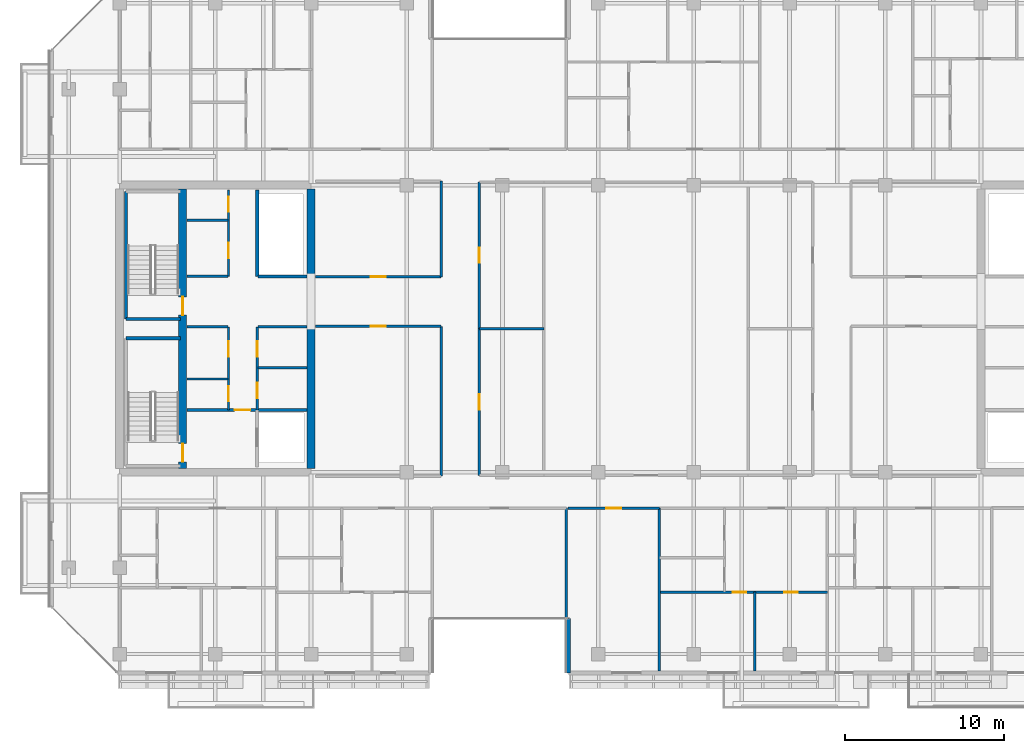
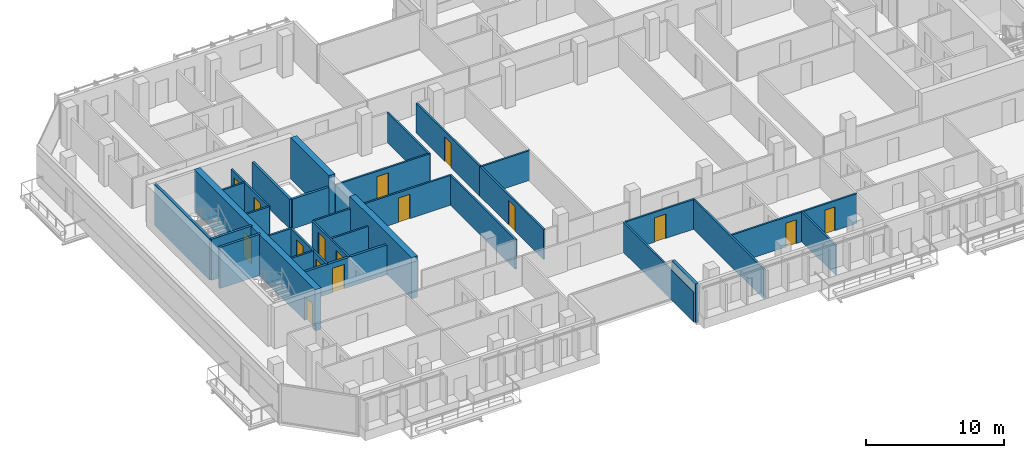
# One storey, part 20 of 30: 31 walls, 16 doors, 16 openings.
"""IFC4 building model written with IfcOpenShell, lengths in metres."""

from ifc_helpers import new_model, si_unit, direction, frame, frame_2d, origin, place, context, subcontext, project, spatial, rectangle, extrude, material, layer, layer_set, type_object, element, fill, save


model = new_model("IFC4")

# Units and contexts
model_context = context("Model", 3, precision=1e-05, world=origin(), true_north=direction((0.0, 1.0)))
body_context = subcontext(model_context, "Body", "Model", "MODEL_VIEW")
ifc_project = project(units=[si_unit("LENGTHUNIT", "METRE"), si_unit("AREAUNIT", "SQUARE_METRE"), si_unit("VOLUMEUNIT", "CUBIC_METRE"), si_unit("PLANEANGLEUNIT", "RADIAN"), si_unit("MASSUNIT", "GRAM", prefix="KILO")], contexts=[model_context])

# Site, building, storey
site_placement = place(None, origin())
site = spatial("IfcSite", under=ifc_project, at=site_placement, CompositionType="ELEMENT")
building_placement = place(site_placement, origin())
building = spatial("IfcBuilding", under=site, at=building_placement, Name="Tanjung Sevakor Pilgrim Tower", CompositionType="ELEMENT")
storey_placement = place(building_placement, frame((0.0, 0.0, 165.659912109375)))
storey = spatial("IfcBuildingStorey", under=building, at=storey_placement, Name="L46", CompositionType="ELEMENT", Elevation=165.659912109375)

# Walls
ifc_material_1 = material(Name="Concrete C60/75", Category="concrete")
ifc_layer_1 = layer(ifc_material_1, 0.5)
ifc_layer_set_1 = layer_set([ifc_layer_1], Name="WALL-CW-500")
wall_type_1 = type_object("IfcWallType", Name="WALL-CW-500", PredefinedType="SHEAR", material=ifc_layer_set_1)
wall_1_placement = place(storey_placement, frame((36.0, 24.85009765625, 0.0), z_axis=(0.0, 0.0, 1.0), x_axis=(0.0, 1.0, 0.0)))
element("IfcWall", 1, at=wall_1_placement, inside=storey, type_object=wall_type_1, Name="L46 W Core Inner Shear Wall South", PredefinedType="SHEAR", context=body_context, shape_type="SweptSolid", body=[
    extrude(rectangle(XDim=8.949951171875, YDim=0.5, at=frame_2d((4.47509765625, 0.0))), origin(), (0.0, 0.0, 1.0), 3.630126953125),
])
wall_2_placement = place(storey_placement, frame((36.0, 36.800048828125, 0.0), z_axis=(0.0, 0.0, 1.0), x_axis=(0.0, 1.0, 0.0)))
element("IfcWall", 2, at=wall_2_placement, inside=storey, type_object=wall_type_1, Name="L46 W Core Inner Shear Wall North", PredefinedType="SHEAR", context=body_context, shape_type="SweptSolid", body=[
    extrude(rectangle(XDim=5.550048828125, YDim=0.5, at=frame_2d((2.77490234375, 0.0))), origin(), (0.0, 0.0, 1.0), 3.630126953125),
])

# Wall, openings, doors
wall_3_placement = place(storey_placement, frame((27.949951171875, 24.85009765625, 0.0), z_axis=(0.0, 0.0, 1.0), x_axis=(0.0, 1.0, 0.0)))
wall_3 = element("IfcWall", 3, at=wall_3_placement, inside=storey, type_object=wall_type_1, Name="L46 W Core Stair Spine Wall", PredefinedType="SHEAR", context=body_context, shape_type="SweptSolid", body=[
    extrude(rectangle(XDim=17.5, YDim=0.5, at=frame_2d((8.75, 0.0))), origin(), (0.0, 0.0, 1.0), 3.630126953125),
])
opening_1_placement = place(wall_3_placement, frame((0.39990234375, 0.0, 0.0)))
opening_1 = element("IfcOpeningElement", 4, at=opening_1_placement, cuts=wall_3, Name="Opening ID-ST1", PredefinedType="OPENING", context=body_context, shape_type="SweptSolid", body=[
    extrude(rectangle(XDim=1.14990234375, YDim=2.14990234375, at=frame_2d((0.574951171875, 1.074951171875))), frame((0.0, 0.260009765625, 0.0), z_axis=(0.0, -1.0, 0.0), x_axis=(1.0, 0.0, 0.0)), (0.0, 0.0, 1.0), 0.52001953125),
])
opening_2_placement = place(wall_3_placement, frame((9.60009765625, 0.0, 0.0)))
opening_2 = element("IfcOpeningElement", 5, at=opening_2_placement, cuts=wall_3, Name="Opening ID-ST1", PredefinedType="OPENING", context=body_context, shape_type="SweptSolid", body=[
    extrude(rectangle(XDim=1.14990234375, YDim=2.14990234375, at=frame_2d((0.574951171875, 1.074951171875))), frame((0.0, 0.260009765625, 0.0), z_axis=(0.0, -1.0, 0.0), x_axis=(1.0, 0.0, 0.0)), (0.0, 0.0, 1.0), 0.52001953125),
])
ifc_material_2 = material(Name="Fire-Rated Steel S355J2", Category="steel")
door_type_1 = type_object("IfcDoorType", Name="DT-FIRE-1150", OperationType="NOTDEFINED", PredefinedType="DOOR", material=ifc_material_2)
door_1_placement = place(opening_1_placement, origin())
door_1 = element("IfcDoor", 6, at=door_1_placement, inside=storey, type_object=door_type_1, Name="L46 TS-W1 Stair Fire Door", OperationType="SINGLE_SWING_RIGHT", OverallHeight=2.14990234375, OverallWidth=1.14990234375, PredefinedType="DOOR", context=body_context, shape_type="SweptSolid", body=[
    extrude(rectangle(XDim=1.14990234375, YDim=2.14990234375, at=frame_2d((0.574951171875, 1.074951171875))), frame((0.0, 0.02490234375, 0.0), z_axis=(0.0, -1.0, 0.0), x_axis=(1.0, 0.0, 0.0)), (0.0, 0.0, 1.0), 0.050048828125),
])
fill(opening_1, door_1)
door_2_placement = place(opening_2_placement, origin())
door_2 = element("IfcDoor", 7, at=door_2_placement, inside=storey, type_object=door_type_1, Name="L46 TS-W2 Stair Fire Door", OperationType="SINGLE_SWING_LEFT", OverallHeight=2.14990234375, OverallWidth=1.14990234375, PredefinedType="DOOR", context=body_context, shape_type="SweptSolid", body=[
    extrude(rectangle(XDim=1.14990234375, YDim=2.14990234375, at=frame_2d((0.574951171875, 1.074951171875))), frame((0.0, 0.02490234375, 0.0), z_axis=(0.0, -1.0, 0.0), x_axis=(1.0, 0.0, 0.0)), (0.0, 0.0, 1.0), 0.050048828125),
])
fill(opening_2, door_2)

# Walls
ifc_material_3 = material(Name="Concrete C40/50", Category="concrete")
ifc_layer_2 = layer(ifc_material_3, 0.14990234375)
ifc_layer_set_2 = layer_set([ifc_layer_2], Name="WT-COMP-150")
wall_type_2 = type_object("IfcWallType", Name="WT-COMP-150", PredefinedType="SOLIDWALL", material=ifc_layer_set_2)
for number, where, z_axis, x_axis, name in (
    (8, (28.219970703125, 30.449951171875, 0.0), (0.0, 0.0, 1.0), (1.0, 0.0, 0.0), "L46 Partition IW-L46-003"),
    (9, (28.219970703125, 33.719970703125, 0.0), (0.0, 0.0, 1.0), (1.0, 0.0, 0.0), "L46 Partition IW-L46-004"),
):
    element("IfcWall", number, at=place(storey_placement, frame(where, z_axis=z_axis, x_axis=x_axis)), inside=storey, type_object=wall_type_2, Name=name, PredefinedType="SOLIDWALL", context=body_context, shape_type="SweptSolid", body=[
        extrude(rectangle(XDim=2.580078125, YDim=0.14990234375, at=frame_2d((1.2900390625, 0.0))), origin(), (0.0, 0.0, 1.0), 2.6298828125),
    ])

# Wall, openings, doors
wall_4_placement = place(storey_placement, frame((30.820068359375, 28.5, 0.0), z_axis=(0.0, 0.0, 1.0), x_axis=(0.0, 1.0, 0.0)))
wall_4 = element("IfcWall", 10, at=wall_4_placement, inside=storey, type_object=wall_type_2, Name="L46 Partition IW-L46-005", PredefinedType="SOLIDWALL", context=body_context, shape_type="SweptSolid", body=[
    extrude(rectangle(XDim=5.219970703125, YDim=0.14990234375, at=frame_2d((2.60986328125, 0.0))), origin(), (0.0, 0.0, 1.0), 2.6298828125),
])
opening_3_placement = place(wall_4_placement, frame((0.550048828125, 0.0, 0.0)))
opening_3 = element("IfcOpeningElement", 11, at=opening_3_placement, cuts=wall_4, Name="Opening ID-FD2", PredefinedType="OPENING", context=body_context, shape_type="SweptSolid", body=[
    extrude(rectangle(XDim=0.949951171875, YDim=2.14990234375, at=frame_2d((0.47509765625, 1.074951171875))), frame((0.0, 0.0849609375, 0.0), z_axis=(0.0, -1.0, 0.0), x_axis=(1.0, 0.0, 0.0)), (0.0, 0.0, 1.0), 0.169921875),
])
opening_4_placement = place(wall_4_placement, frame((3.35009765625, 0.0, 0.0)))
opening_4 = element("IfcOpeningElement", 12, at=opening_4_placement, cuts=wall_4, Name="Opening ID-FD2", PredefinedType="OPENING", context=body_context, shape_type="SweptSolid", body=[
    extrude(rectangle(XDim=0.949951171875, YDim=2.14990234375, at=frame_2d((0.47509765625, 1.074951171875))), frame((0.0, 0.0849609375, 0.0), z_axis=(0.0, -1.0, 0.0), x_axis=(1.0, 0.0, 0.0)), (0.0, 0.0, 1.0), 0.169921875),
])
ifc_material_4 = material(Name="Fire-Rated Timber", Category="wood")
door_type_2 = type_object("IfcDoorType", Name="DT-FIRE-950", OperationType="NOTDEFINED", PredefinedType="DOOR", material=ifc_material_4)
door_3_placement = place(opening_3_placement, origin())
door_3 = element("IfcDoor", 13, at=door_3_placement, inside=storey, type_object=door_type_2, Name="L46 Cleaner Store Door", OperationType="SINGLE_SWING_RIGHT", OverallHeight=2.14990234375, OverallWidth=0.949951171875, PredefinedType="DOOR", context=body_context, shape_type="SweptSolid", body=[
    extrude(rectangle(XDim=0.949951171875, YDim=2.14990234375, at=frame_2d((0.47509765625, 1.074951171875))), frame((0.0, 0.02490234375, 0.0), z_axis=(0.0, -1.0, 0.0), x_axis=(1.0, 0.0, 0.0)), (0.0, 0.0, 1.0), 0.050048828125),
])
fill(opening_3, door_3)
door_4_placement = place(opening_4_placement, origin())
door_4 = element("IfcDoor", 14, at=door_4_placement, inside=storey, type_object=door_type_2, Name="L46 Housekeeping Pantry Door", OperationType="SINGLE_SWING_LEFT", OverallHeight=2.14990234375, OverallWidth=0.949951171875, PredefinedType="DOOR", context=body_context, shape_type="SweptSolid", body=[
    extrude(rectangle(XDim=0.949951171875, YDim=2.14990234375, at=frame_2d((0.47509765625, 1.074951171875))), frame((0.0, 0.02490234375, 0.0), z_axis=(0.0, -1.0, 0.0), x_axis=(1.0, 0.0, 0.0)), (0.0, 0.0, 1.0), 0.050048828125),
])
fill(opening_4, door_4)

# Walls
for number, where, z_axis, x_axis, name in (
    (15, (32.679931640625, 31.14990234375, 0.0), (0.0, 0.0, 1.0), (1.0, 0.0, 0.0), "L46 Partition IW-L46-006"),
    (16, (32.679931640625, 33.719970703125, 0.0), (0.0, 0.0, 1.0), (1.0, 0.0, 0.0), "L46 Partition IW-L46-007"),
):
    element("IfcWall", number, at=place(storey_placement, frame(where, z_axis=z_axis, x_axis=x_axis)), inside=storey, type_object=wall_type_2, Name=name, PredefinedType="SOLIDWALL", context=body_context, shape_type="SweptSolid", body=[
        extrude(rectangle(XDim=3.050048828125, YDim=0.14990234375, at=frame_2d((1.52490234375, 0.0))), origin(), (0.0, 0.0, 1.0), 2.6298828125),
    ])

# Wall, openings, doors
wall_5_placement = place(storey_placement, frame((32.6201171875, 28.5, 0.0), z_axis=(0.0, 0.0, 1.0), x_axis=(0.0, 1.0, 0.0)))
wall_5 = element("IfcWall", 17, at=wall_5_placement, inside=storey, type_object=wall_type_2, Name="L46 Partition IW-L46-008", PredefinedType="SOLIDWALL", context=body_context, shape_type="SweptSolid", body=[
    extrude(rectangle(XDim=5.219970703125, YDim=0.14990234375, at=frame_2d((2.60986328125, 0.0))), origin(), (0.0, 0.0, 1.0), 2.6298828125),
])
opening_5_placement = place(wall_5_placement, frame((0.75, 0.0, 0.0)))
opening_5 = element("IfcOpeningElement", 18, at=opening_5_placement, cuts=wall_5, Name="Opening ID-FD2", PredefinedType="OPENING", context=body_context, shape_type="SweptSolid", body=[
    extrude(rectangle(XDim=0.949951171875, YDim=2.14990234375, at=frame_2d((0.47509765625, 1.074951171875))), frame((0.0, 0.0849609375, 0.0), z_axis=(0.0, -1.0, 0.0), x_axis=(1.0, 0.0, 0.0)), (0.0, 0.0, 1.0), 0.169921875),
])
opening_6_placement = place(wall_5_placement, frame((3.35009765625, 0.0, 0.0)))
opening_6 = element("IfcOpeningElement", 19, at=opening_6_placement, cuts=wall_5, Name="Opening ID-FD2", PredefinedType="OPENING", context=body_context, shape_type="SweptSolid", body=[
    extrude(rectangle(XDim=0.949951171875, YDim=2.14990234375, at=frame_2d((0.47509765625, 1.074951171875))), frame((0.0, 0.0849609375, 0.0), z_axis=(0.0, -1.0, 0.0), x_axis=(1.0, 0.0, 0.0)), (0.0, 0.0, 1.0), 0.169921875),
])
door_5_placement = place(opening_5_placement, origin())
door_5 = element("IfcDoor", 20, at=door_5_placement, inside=storey, type_object=door_type_2, Name="L46 Accessible WC Door", OperationType="SINGLE_SWING_RIGHT", OverallHeight=2.14990234375, OverallWidth=0.949951171875, PredefinedType="DOOR", context=body_context, shape_type="SweptSolid", body=[
    extrude(rectangle(XDim=0.949951171875, YDim=2.14990234375, at=frame_2d((0.47509765625, 1.074951171875))), frame((0.0, 0.02490234375, 0.0), z_axis=(0.0, -1.0, 0.0), x_axis=(1.0, 0.0, 0.0)), (0.0, 0.0, 1.0), 0.050048828125),
])
fill(opening_5, door_5)
door_6_placement = place(opening_6_placement, origin())
door_6 = element("IfcDoor", 21, at=door_6_placement, inside=storey, type_object=door_type_2, Name="L46 Core Service Door", OperationType="SINGLE_SWING_LEFT", OverallHeight=2.14990234375, OverallWidth=0.949951171875, PredefinedType="DOOR", context=body_context, shape_type="SweptSolid", body=[
    extrude(rectangle(XDim=0.949951171875, YDim=2.14990234375, at=frame_2d((0.47509765625, 1.074951171875))), frame((0.0, 0.02490234375, 0.0), z_axis=(0.0, -1.0, 0.0), x_axis=(1.0, 0.0, 0.0)), (0.0, 0.0, 1.0), 0.050048828125),
])
fill(opening_6, door_6)

# Walls
for number, where, z_axis, x_axis, name in (
    (22, (28.219970703125, 36.8798828125, 0.0), (0.0, 0.0, 1.0), (1.0, 0.0, 0.0), "L46 Partition IW-L46-009"),
    (23, (28.219970703125, 40.389892578125, 0.0), (0.0, 0.0, 1.0), (1.0, 0.0, 0.0), "L46 Partition IW-L46-010"),
):
    element("IfcWall", number, at=place(storey_placement, frame(where, z_axis=z_axis, x_axis=x_axis)), inside=storey, type_object=wall_type_2, Name=name, PredefinedType="SOLIDWALL", context=body_context, shape_type="SweptSolid", body=[
        extrude(rectangle(XDim=2.580078125, YDim=0.14990234375, at=frame_2d((1.2900390625, 0.0))), origin(), (0.0, 0.0, 1.0), 2.6298828125),
    ])

# Wall, openings, doors
wall_6_placement = place(storey_placement, frame((30.820068359375, 36.8798828125, 0.0), z_axis=(0.0, 0.0, 1.0), x_axis=(0.0, 1.0, 0.0)))
wall_6 = element("IfcWall", 24, at=wall_6_placement, inside=storey, type_object=wall_type_2, Name="L46 Partition IW-L46-011", PredefinedType="SOLIDWALL", context=body_context, shape_type="SweptSolid", body=[
    extrude(rectangle(XDim=5.420166015625, YDim=0.14990234375, at=frame_2d((2.7099609375, 0.0))), origin(), (0.0, 0.0, 1.0), 2.6298828125),
])
opening_7_placement = place(wall_6_placement, frame((1.14990234375, 0.0, 0.0)))
opening_7 = element("IfcOpeningElement", 25, at=opening_7_placement, cuts=wall_6, Name="Opening ID-FD2", PredefinedType="OPENING", context=body_context, shape_type="SweptSolid", body=[
    extrude(rectangle(XDim=0.949951171875, YDim=2.14990234375, at=frame_2d((0.47509765625, 1.074951171875))), frame((0.0, 0.0849609375, 0.0), z_axis=(0.0, -1.0, 0.0), x_axis=(1.0, 0.0, 0.0)), (0.0, 0.0, 1.0), 0.169921875),
])
opening_8_placement = place(wall_6_placement, frame((4.050048828125, 0.0, 0.0)))
opening_8 = element("IfcOpeningElement", 26, at=opening_8_placement, cuts=wall_6, Name="Opening ID-FD2", PredefinedType="OPENING", context=body_context, shape_type="SweptSolid", body=[
    extrude(rectangle(XDim=0.949951171875, YDim=2.14990234375, at=frame_2d((0.47509765625, 1.074951171875))), frame((0.0, 0.0849609375, 0.0), z_axis=(0.0, -1.0, 0.0), x_axis=(1.0, 0.0, 0.0)), (0.0, 0.0, 1.0), 0.169921875),
])
door_7_placement = place(opening_7_placement, origin())
door_7 = element("IfcDoor", 27, at=door_7_placement, inside=storey, type_object=door_type_2, Name="L46 Core Study Room Door", OperationType="SINGLE_SWING_RIGHT", OverallHeight=2.14990234375, OverallWidth=0.949951171875, PredefinedType="DOOR", context=body_context, shape_type="SweptSolid", body=[
    extrude(rectangle(XDim=0.949951171875, YDim=2.14990234375, at=frame_2d((0.47509765625, 1.074951171875))), frame((0.0, 0.02490234375, 0.0), z_axis=(0.0, -1.0, 0.0), x_axis=(1.0, 0.0, 0.0)), (0.0, 0.0, 1.0), 0.050048828125),
])
fill(opening_7, door_7)
door_8_placement = place(opening_8_placement, origin())
door_8 = element("IfcDoor", 28, at=door_8_placement, inside=storey, type_object=door_type_2, Name="L46 Service Store Door", OperationType="SINGLE_SWING_LEFT", OverallHeight=2.14990234375, OverallWidth=0.949951171875, PredefinedType="DOOR", context=body_context, shape_type="SweptSolid", body=[
    extrude(rectangle(XDim=0.949951171875, YDim=2.14990234375, at=frame_2d((0.47509765625, 1.074951171875))), frame((0.0, 0.02490234375, 0.0), z_axis=(0.0, -1.0, 0.0), x_axis=(1.0, 0.0, 0.0)), (0.0, 0.0, 1.0), 0.050048828125),
])
fill(opening_8, door_8)

# Wall, opening, door
wall_7_placement = place(storey_placement, frame((36.27001953125, 33.75, 0.0), z_axis=(0.0, 0.0, 1.0), x_axis=(1.0, 0.0, 0.0)))
wall_7 = element("IfcWall", 29, at=wall_7_placement, inside=storey, type_object=wall_type_2, Name="L46 Partition IW-L46-028", PredefinedType="SOLIDWALL", context=body_context, shape_type="SweptSolid", body=[
    extrude(rectangle(XDim=7.8798828125, YDim=0.14990234375, at=frame_2d((3.93994140625, 0.0))), origin(), (0.0, 0.0, 1.0), 2.6298828125),
])
opening_9_placement = place(wall_7_placement, frame((3.465087890625, 0.0, 0.0)))
opening_9 = element("IfcOpeningElement", 30, at=opening_9_placement, cuts=wall_7, Name="Opening ID-RM1", PredefinedType="OPENING", context=body_context, shape_type="SweptSolid", body=[
    extrude(rectangle(XDim=0.949951171875, YDim=2.14990234375, at=frame_2d((0.47509765625, 1.074951171875))), frame((0.0, 0.0849609375, 0.0), z_axis=(0.0, -1.0, 0.0), x_axis=(1.0, 0.0, 0.0)), (0.0, 0.0, 1.0), 0.169921875),
])
ifc_material_5 = material(Name="Hardwood Timber", Category="wood")
door_type_3 = type_object("IfcDoorType", Name="DT-INT-950", OperationType="NOTDEFINED", PredefinedType="DOOR", material=ifc_material_5)
door_9_placement = place(opening_9_placement, origin())
door_9 = element("IfcDoor", 31, at=door_9_placement, inside=storey, type_object=door_type_3, Name="L46 West Inboard South Door", OperationType="SINGLE_SWING_RIGHT", OverallHeight=2.14990234375, OverallWidth=0.949951171875, PredefinedType="DOOR", context=body_context, shape_type="SweptSolid", body=[
    extrude(rectangle(XDim=0.949951171875, YDim=2.14990234375, at=frame_2d((0.47509765625, 1.074951171875))), frame((0.0, 0.02490234375, 0.0), z_axis=(0.0, -1.0, 0.0), x_axis=(1.0, 0.0, 0.0)), (0.0, 0.0, 1.0), 0.050048828125),
])
fill(opening_9, door_9)

# Wall
wall_8_placement = place(storey_placement, frame((44.14990234375, 24.35009765625, 0.0), z_axis=(0.0, 0.0, 1.0), x_axis=(0.0, 1.0, 0.0)))
element("IfcWall", 32, at=wall_8_placement, inside=storey, type_object=wall_type_2, Name="L46 Partition IW-L46-029", PredefinedType="SOLIDWALL", context=body_context, shape_type="SweptSolid", body=[
    extrude(rectangle(XDim=9.39990234375, YDim=0.14990234375, at=frame_2d((4.699951171875, 0.0))), origin(), (0.0, 0.0, 1.0), 2.6298828125),
])

# Wall, opening, door
wall_9_placement = place(storey_placement, frame((36.27001953125, 36.85009765625, 0.0), z_axis=(0.0, 0.0, 1.0), x_axis=(1.0, 0.0, 0.0)))
wall_9 = element("IfcWall", 33, at=wall_9_placement, inside=storey, type_object=wall_type_2, Name="L46 Partition IW-L46-030", PredefinedType="SOLIDWALL", context=body_context, shape_type="SweptSolid", body=[
    extrude(rectangle(XDim=7.8798828125, YDim=0.14990234375, at=frame_2d((3.93994140625, 0.0))), origin(), (0.0, 0.0, 1.0), 2.6298828125),
])
opening_10_placement = place(wall_9_placement, frame((3.465087890625, 0.0, 0.0)))
opening_10 = element("IfcOpeningElement", 34, at=opening_10_placement, cuts=wall_9, Name="Opening ID-RM1", PredefinedType="OPENING", context=body_context, shape_type="SweptSolid", body=[
    extrude(rectangle(XDim=0.949951171875, YDim=2.14990234375, at=frame_2d((0.47509765625, 1.074951171875))), frame((0.0, 0.0849609375, 0.0), z_axis=(0.0, -1.0, 0.0), x_axis=(1.0, 0.0, 0.0)), (0.0, 0.0, 1.0), 0.169921875),
])
door_10_placement = place(opening_10_placement, origin())
door_10 = element("IfcDoor", 35, at=door_10_placement, inside=storey, type_object=door_type_3, Name="L46 West Inboard North Door", OperationType="SINGLE_SWING_LEFT", OverallHeight=2.14990234375, OverallWidth=0.949951171875, PredefinedType="DOOR", context=body_context, shape_type="SweptSolid", body=[
    extrude(rectangle(XDim=0.949951171875, YDim=2.14990234375, at=frame_2d((0.47509765625, 1.074951171875))), frame((0.0, 0.02490234375, 0.0), z_axis=(0.0, -1.0, 0.0), x_axis=(1.0, 0.0, 0.0)), (0.0, 0.0, 1.0), 0.050048828125),
])
fill(opening_10, door_10)

# Walls
wall_10_placement = place(storey_placement, frame((44.14990234375, 36.85009765625, 0.0), z_axis=(0.0, 0.0, 1.0), x_axis=(0.0, 1.0, 0.0)))
element("IfcWall", 36, at=wall_10_placement, inside=storey, type_object=wall_type_2, Name="L46 Partition IW-L46-032", PredefinedType="SOLIDWALL", context=body_context, shape_type="SweptSolid", body=[
    extrude(rectangle(XDim=6.0, YDim=0.14990234375, at=frame_2d((3.0, 0.0))), origin(), (0.0, 0.0, 1.0), 2.6298828125),
])
wall_11_placement = place(storey_placement, frame((46.550048828125, 33.60009765625, 0.0), z_axis=(0.0, 0.0, 1.0), x_axis=(1.0, 0.0, 0.0)))
element("IfcWall", 37, at=wall_11_placement, inside=storey, type_object=wall_type_2, Name="L46 Partition IW-L46-040", PredefinedType="SOLIDWALL", context=body_context, shape_type="SweptSolid", body=[
    extrude(rectangle(XDim=4.050048828125, YDim=0.14990234375, at=frame_2d((2.02490234375, 0.0))), origin(), (0.0, 0.0, 1.0), 2.6298828125),
])

# Wall, opening, door
wall_12_placement = place(storey_placement, frame((46.550048828125, 24.39990234375, 0.0), z_axis=(0.0, 0.0, 1.0), x_axis=(0.0, 1.0, 0.0)))
wall_12 = element("IfcWall", 38, at=wall_12_placement, inside=storey, type_object=wall_type_2, Name="L46 Partition IW-L46-041", PredefinedType="SOLIDWALL", context=body_context, shape_type="SweptSolid", body=[
    extrude(rectangle(XDim=9.2001953125, YDim=0.14990234375, at=frame_2d((4.60009765625, 0.0))), origin(), (0.0, 0.0, 1.0), 2.6298828125),
])
opening_11_placement = place(wall_12_placement, frame((4.125, 0.0, 0.0)))
opening_11 = element("IfcOpeningElement", 39, at=opening_11_placement, cuts=wall_12, Name="Opening ID-RM1", PredefinedType="OPENING", context=body_context, shape_type="SweptSolid", body=[
    extrude(rectangle(XDim=0.949951171875, YDim=2.14990234375, at=frame_2d((0.47509765625, 1.074951171875))), frame((0.0, 0.0849609375, 0.0), z_axis=(0.0, -1.0, 0.0), x_axis=(1.0, 0.0, 0.0)), (0.0, 0.0, 1.0), 0.169921875),
])
door_11_placement = place(opening_11_placement, origin())
door_11 = element("IfcDoor", 40, at=door_11_placement, inside=storey, type_object=door_type_3, Name="L46 Male Ablution Door", OperationType="SINGLE_SWING_RIGHT", OverallHeight=2.14990234375, OverallWidth=0.949951171875, PredefinedType="DOOR", context=body_context, shape_type="SweptSolid", body=[
    extrude(rectangle(XDim=0.949951171875, YDim=2.14990234375, at=frame_2d((0.47509765625, 1.074951171875))), frame((0.0, 0.02490234375, 0.0), z_axis=(0.0, -1.0, 0.0), x_axis=(1.0, 0.0, 0.0)), (0.0, 0.0, 1.0), 0.050048828125),
])
fill(opening_11, door_11)

wall_13_placement = place(storey_placement, frame((46.550048828125, 33.60009765625, 0.0), z_axis=(0.0, 0.0, 1.0), x_axis=(0.0, 1.0, 0.0)))
wall_13 = element("IfcWall", 41, at=wall_13_placement, inside=storey, type_object=wall_type_2, Name="L46 Partition IW-L46-043", PredefinedType="SOLIDWALL", context=body_context, shape_type="SweptSolid", body=[
    extrude(rectangle(XDim=9.199951171875, YDim=0.14990234375, at=frame_2d((4.60009765625, 0.0))), origin(), (0.0, 0.0, 1.0), 2.6298828125),
])
opening_12_placement = place(wall_13_placement, frame((4.125, 0.0, 0.0)))
opening_12 = element("IfcOpeningElement", 42, at=opening_12_placement, cuts=wall_13, Name="Opening ID-RM1", PredefinedType="OPENING", context=body_context, shape_type="SweptSolid", body=[
    extrude(rectangle(XDim=0.949951171875, YDim=2.14990234375, at=frame_2d((0.47509765625, 1.074951171875))), frame((0.0, 0.0849609375, 0.0), z_axis=(0.0, -1.0, 0.0), x_axis=(1.0, 0.0, 0.0)), (0.0, 0.0, 1.0), 0.169921875),
])
door_12_placement = place(opening_12_placement, origin())
door_12 = element("IfcDoor", 43, at=door_12_placement, inside=storey, type_object=door_type_3, Name="L46 Male Washroom Door", OperationType="SINGLE_SWING_LEFT", OverallHeight=2.14990234375, OverallWidth=0.949951171875, PredefinedType="DOOR", context=body_context, shape_type="SweptSolid", body=[
    extrude(rectangle(XDim=0.949951171875, YDim=2.14990234375, at=frame_2d((0.47509765625, 1.074951171875))), frame((0.0, 0.02490234375, 0.0), z_axis=(0.0, -1.0, 0.0), x_axis=(1.0, 0.0, 0.0)), (0.0, 0.0, 1.0), 0.050048828125),
])
fill(opening_12, door_12)

# Walls
for number, where, z_axis, x_axis, name in (
    (44, (52.0, 12.14990234375, 0.0), (0.0, 0.0, 1.0), (0.0, 1.0, 0.0), "L46 Partition IW-L46-055"),
    (45, (57.841064453125, 12.14990234375, 0.0), (0.0, 0.0, 1.0), (0.0, 1.0, 0.0), "L46 Partition IW-L46-072"),
):
    element("IfcWall", number, at=place(storey_placement, frame(where, z_axis=z_axis, x_axis=x_axis)), inside=storey, type_object=wall_type_2, Name=name, PredefinedType="SOLIDWALL", context=body_context, shape_type="SweptSolid", body=[
        extrude(rectangle(XDim=10.2001953125, YDim=0.14990234375, at=frame_2d((5.10009765625, 0.0))), origin(), (0.0, 0.0, 1.0), 2.6298828125),
    ])

# Wall, opening, door
wall_14_placement = place(storey_placement, frame((52.1201171875, 22.35009765625, 0.0), z_axis=(0.0, 0.0, 1.0), x_axis=(1.0, 0.0, 0.0)))
wall_14 = element("IfcWall", 46, at=wall_14_placement, inside=storey, type_object=wall_type_2, Name="L46 Partition IW-L46-073", PredefinedType="SOLIDWALL", context=body_context, shape_type="SweptSolid", body=[
    extrude(rectangle(XDim=5.720947265625, YDim=0.14990234375, at=frame_2d((2.8603515625, 0.0))), origin(), (0.0, 0.0, 1.0), 2.6298828125),
])
opening_13_placement = place(wall_14_placement, frame((2.385498046875, 0.0, 0.0)))
opening_13 = element("IfcOpeningElement", 47, at=opening_13_placement, cuts=wall_14, Name="Opening ID-FD2", PredefinedType="OPENING", context=body_context, shape_type="SweptSolid", body=[
    extrude(rectangle(XDim=0.949951171875, YDim=2.14990234375, at=frame_2d((0.47509765625, 1.074951171875))), frame((0.0, 0.0849609375, 0.0), z_axis=(0.0, -1.0, 0.0), x_axis=(1.0, 0.0, 0.0)), (0.0, 0.0, 1.0), 0.169921875),
])
door_13_placement = place(opening_13_placement, origin())
door_13 = element("IfcDoor", 48, at=door_13_placement, inside=storey, type_object=door_type_2, Name="Housekeeping Pantry Door", OperationType="SINGLE_SWING_LEFT", OverallHeight=2.14990234375, OverallWidth=0.949951171875, PredefinedType="DOOR", context=body_context, shape_type="SweptSolid", body=[
    extrude(rectangle(XDim=0.949951171875, YDim=2.14990234375, at=frame_2d((0.47509765625, 1.074951171875))), frame((0.0, 0.02490234375, 0.0), z_axis=(0.0, -1.0, 0.0), x_axis=(1.0, 0.0, 0.0)), (0.0, 0.0, 1.0), 0.050048828125),
])
fill(opening_13, door_13)

# Walls
ifc_material_6 = material(Name="Precast concrete C45/55", Category="concrete")
ifc_layer_3 = layer(ifc_material_6, 0.25)
ifc_layer_set_3 = layer_set([ifc_layer_3], Name="WT-EW-STN3")
wall_type_3 = type_object("IfcWallType", Name="WT-EW-STN3", PredefinedType="SOLIDWALL", material=ifc_layer_set_3)
wall_15_placement = place(storey_placement, frame((52.125, 15.425048828125, 0.0), z_axis=(0.0, 0.0, 1.0), x_axis=(0.0, -1.0, 0.0)))
element("IfcWall", 49, at=wall_15_placement, inside=storey, type_object=wall_type_3, Name="L46 MAIN Exterior Wall 4", PredefinedType="SOLIDWALL", context=body_context, shape_type="SweptSolid", body=[
    extrude(rectangle(XDim=3.400146484375, YDim=0.25, at=frame_2d((1.7001953125, 0.0))), origin(), (0.0, 0.0, 1.0), 3.409912109375),
])
ifc_material_7 = material(Name="Concrete C40/50", Category="concrete")
ifc_layer_4 = layer(ifc_material_7, 0.199951171875)
ifc_layer_set_4 = layer_set([ifc_layer_4], Name="WT-FIRE-200")
wall_type_4 = type_object("IfcWallType", Name="WT-FIRE-200", PredefinedType="SOLIDWALL", material=ifc_layer_set_4)
for number, where, z_axis, x_axis, name in (
    (50, (27.800048828125, 33.0, 0.0), (0.0, 0.0, 1.0), (-1.0, 0.0, 0.0), "L46 TS-W1 Shaft Wall 2"),
    (51, (24.39990234375, 34.199951171875, 0.0), (0.0, 0.0, 1.0), (1.0, 0.0, 0.0), "L46 TS-W2 Shaft Wall 1"),
):
    element("IfcWall", number, at=place(storey_placement, frame(where, z_axis=z_axis, x_axis=x_axis)), inside=storey, type_object=wall_type_4, Name=name, PredefinedType="SOLIDWALL", context=body_context, shape_type="SweptSolid", body=[
        extrude(rectangle(XDim=3.400146484375, YDim=0.199951171875, at=frame_2d((1.7001953125, 0.0))), origin(), (0.0, 0.0, 1.0), 3.630126953125),
    ])
wall_16_placement = place(storey_placement, frame((24.39990234375, 42.199951171875, 0.0), z_axis=(0.0, 0.0, 1.0), x_axis=(0.0, -1.0, 0.0)))
element("IfcWall", 52, at=wall_16_placement, inside=storey, type_object=wall_type_4, Name="L46 TS-W2 Shaft Wall 3", PredefinedType="SOLIDWALL", context=body_context, shape_type="SweptSolid", body=[
    extrude(rectangle(XDim=8.0, YDim=0.199951171875, at=frame_2d((4.0, 0.0))), origin(), (0.0, 0.0, 1.0), 3.630126953125),
])

# Wall, opening, door
ifc_material_8 = material(Name="Concrete C40/50", Category="concrete")
ifc_layer_5 = layer(ifc_material_8, 0.199951171875)
ifc_layer_set_5 = layer_set([ifc_layer_5], Name="WT-FPRT-200")
wall_type_5 = type_object("IfcWallType", Name="WT-FPRT-200", PredefinedType="SOLIDWALL", material=ifc_layer_set_5)
wall_17_placement = place(storey_placement, frame((28.219970703125, 28.5, 0.0), z_axis=(0.0, 0.0, 1.0), x_axis=(1.0, 0.0, 0.0)))
wall_17 = element("IfcWall", 53, at=wall_17_placement, inside=storey, type_object=wall_type_5, Name="L46 Partition IW-L46-002", PredefinedType="SOLIDWALL", context=body_context, shape_type="SweptSolid", body=[
    extrude(rectangle(XDim=7.510009765625, YDim=0.199951171875, at=frame_2d((3.7548828125, 0.0))), origin(), (0.0, 0.0, 1.0), 2.6298828125),
])
opening_14_placement = place(wall_17_placement, frame((2.97998046875, 0.0, 0.0)))
opening_14 = element("IfcOpeningElement", 54, at=opening_14_placement, cuts=wall_17, Name="Opening ID-FD1", PredefinedType="OPENING", context=body_context, shape_type="SweptSolid", body=[
    extrude(rectangle(XDim=1.0, YDim=2.14990234375, at=frame_2d((0.5, 1.074951171875))), frame((0.0, 0.10986328125, 0.0), z_axis=(0.0, -1.0, 0.0), x_axis=(1.0, 0.0, 0.0)), (0.0, 0.0, 1.0), 0.219970703125),
])
ifc_material_9 = material(Name="Fire-Rated Steel S355J2", Category="steel")
door_type_4 = type_object("IfcDoorType", Name="DT-FIRE-1000", OperationType="NOTDEFINED", PredefinedType="DOOR", material=ifc_material_9)
door_14_placement = place(opening_14_placement, origin())
door_14 = element("IfcDoor", 55, at=door_14_placement, inside=storey, type_object=door_type_4, Name="Fire Lobby Door W", OperationType="SINGLE_SWING_LEFT", OverallHeight=2.14990234375, OverallWidth=1.0, PredefinedType="DOOR", context=body_context, shape_type="SweptSolid", body=[
    extrude(rectangle(XDim=1.0, YDim=2.14990234375, at=frame_2d((0.5, 1.074951171875))), frame((0.0, 0.02490234375, 0.0), z_axis=(0.0, -1.0, 0.0), x_axis=(1.0, 0.0, 0.0)), (0.0, 0.0, 1.0), 0.050048828125),
])
fill(opening_14, door_14)

# Walls
wall_18_placement = place(storey_placement, frame((32.679931640625, 36.8798828125, 0.0), z_axis=(0.0, 0.0, 1.0), x_axis=(1.0, 0.0, 0.0)))
element("IfcWall", 56, at=wall_18_placement, inside=storey, type_object=wall_type_5, Name="L46 Partition IW-L46-012", PredefinedType="SOLIDWALL", context=body_context, shape_type="SweptSolid", body=[
    extrude(rectangle(XDim=3.050048828125, YDim=0.199951171875, at=frame_2d((1.52490234375, 0.0))), origin(), (0.0, 0.0, 1.0), 2.6298828125),
])
wall_19_placement = place(storey_placement, frame((32.6201171875, 36.8798828125, 0.0), z_axis=(0.0, 0.0, 1.0), x_axis=(0.0, 1.0, 0.0)))
element("IfcWall", 57, at=wall_19_placement, inside=storey, type_object=wall_type_5, Name="L46 Partition IW-L46-013", PredefinedType="SOLIDWALL", context=body_context, shape_type="SweptSolid", body=[
    extrude(rectangle(XDim=5.420166015625, YDim=0.199951171875, at=frame_2d((2.7099609375, 0.0))), origin(), (0.0, 0.0, 1.0), 2.6298828125),
])
ifc_material_10 = material(Name="Gypsum Board Partition", Category="gypsum board")
ifc_layer_6 = layer(ifc_material_10, 0.14990234375)
ifc_layer_set_6 = layer_set([ifc_layer_6], Name="WT-PART-150")
wall_type_6 = type_object("IfcWallType", Name="WT-PART-150", PredefinedType="PARTITIONING", material=ifc_layer_set_6)
wall_20_placement = place(storey_placement, frame((63.820068359375, 12.14990234375, 0.0), z_axis=(0.0, 0.0, 1.0), x_axis=(0.0, 1.0, 0.0)))
element("IfcWall", 58, at=wall_20_placement, inside=storey, type_object=wall_type_6, Name="L46 Partition IW-L46-077", PredefinedType="PARTITIONING", context=body_context, shape_type="SweptSolid", body=[
    extrude(rectangle(XDim=4.93408203125, YDim=0.14990234375, at=frame_2d((2.467041015625, 0.0))), origin(), (0.0, 0.0, 1.0), 2.6298828125),
])

# Wall, openings, doors
wall_21_placement = place(storey_placement, frame((57.841064453125, 17.083984375, 0.0), z_axis=(0.0, 0.0, 1.0), x_axis=(1.0, 0.0, 0.0)))
wall_21 = element("IfcWall", 59, at=wall_21_placement, inside=storey, type_object=wall_type_6, Name="L46 Partition IW-L46-078", PredefinedType="PARTITIONING", context=body_context, shape_type="SweptSolid", body=[
    extrude(rectangle(XDim=10.52685546875, YDim=0.14990234375, at=frame_2d((5.263427734375, 0.0))), origin(), (0.0, 0.0, 1.0), 2.6298828125),
])
opening_15_placement = place(wall_21_placement, frame((4.60400390625, 0.0, 0.0)))
opening_15 = element("IfcOpeningElement", 60, at=opening_15_placement, cuts=wall_21, Name="Opening ID-WC1", PredefinedType="OPENING", context=body_context, shape_type="SweptSolid", body=[
    extrude(rectangle(XDim=0.85009765625, YDim=2.10009765625, at=frame_2d((0.425048828125, 1.050048828125))), frame((0.0, 0.0849609375, 0.0), z_axis=(0.0, -1.0, 0.0), x_axis=(1.0, 0.0, 0.0)), (0.0, 0.0, 1.0), 0.169921875),
])
opening_16_placement = place(wall_21_placement, frame((7.827880859375, 0.0, 0.0)))
opening_16 = element("IfcOpeningElement", 61, at=opening_16_placement, cuts=wall_21, Name="Opening ID-WC1", PredefinedType="OPENING", context=body_context, shape_type="SweptSolid", body=[
    extrude(rectangle(XDim=0.85009765625, YDim=2.10009765625, at=frame_2d((0.425048828125, 1.050048828125))), frame((0.0, 0.0849609375, 0.0), z_axis=(0.0, -1.0, 0.0), x_axis=(1.0, 0.0, 0.0)), (0.0, 0.0, 1.0), 0.169921875),
])
ifc_material_11 = material(Name="Moisture-Resistant Timber", Category="wood")
door_type_5 = type_object("IfcDoorType", Name="DT-INT-850", OperationType="NOTDEFINED", PredefinedType="DOOR", material=ifc_material_11)
door_15_placement = place(opening_15_placement, origin())
door_15 = element("IfcDoor", 62, at=door_15_placement, inside=storey, type_object=door_type_5, Name="Suite Bedroom 1 Door", OperationType="SINGLE_SWING_RIGHT", OverallHeight=2.10009765625, OverallWidth=0.85009765625, PredefinedType="DOOR", context=body_context, shape_type="SweptSolid", body=[
    extrude(rectangle(XDim=0.85009765625, YDim=2.10009765625, at=frame_2d((0.425048828125, 1.050048828125))), frame((0.0, 0.02490234375, 0.0), z_axis=(0.0, -1.0, 0.0), x_axis=(1.0, 0.0, 0.0)), (0.0, 0.0, 1.0), 0.050048828125),
])
fill(opening_15, door_15)
door_16_placement = place(opening_16_placement, origin())
door_16 = element("IfcDoor", 63, at=door_16_placement, inside=storey, type_object=door_type_5, Name="Suite Bedroom 2 Door", OperationType="SINGLE_SWING_LEFT", OverallHeight=2.10009765625, OverallWidth=0.85009765625, PredefinedType="DOOR", context=body_context, shape_type="SweptSolid", body=[
    extrude(rectangle(XDim=0.85009765625, YDim=2.10009765625, at=frame_2d((0.425048828125, 1.050048828125))), frame((0.0, 0.02490234375, 0.0), z_axis=(0.0, -1.0, 0.0), x_axis=(1.0, 0.0, 0.0)), (0.0, 0.0, 1.0), 0.050048828125),
])
fill(opening_16, door_16)

save(model, "model.ifc")
